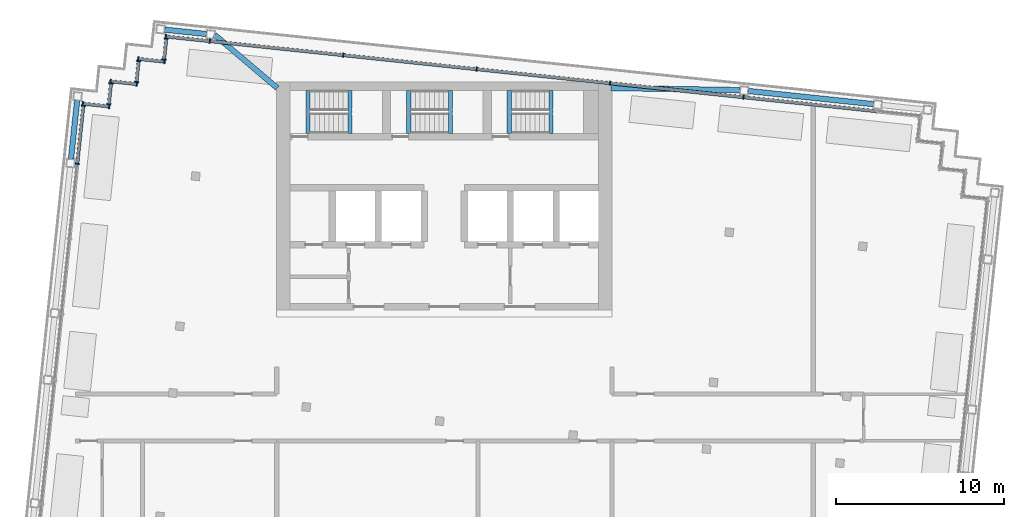
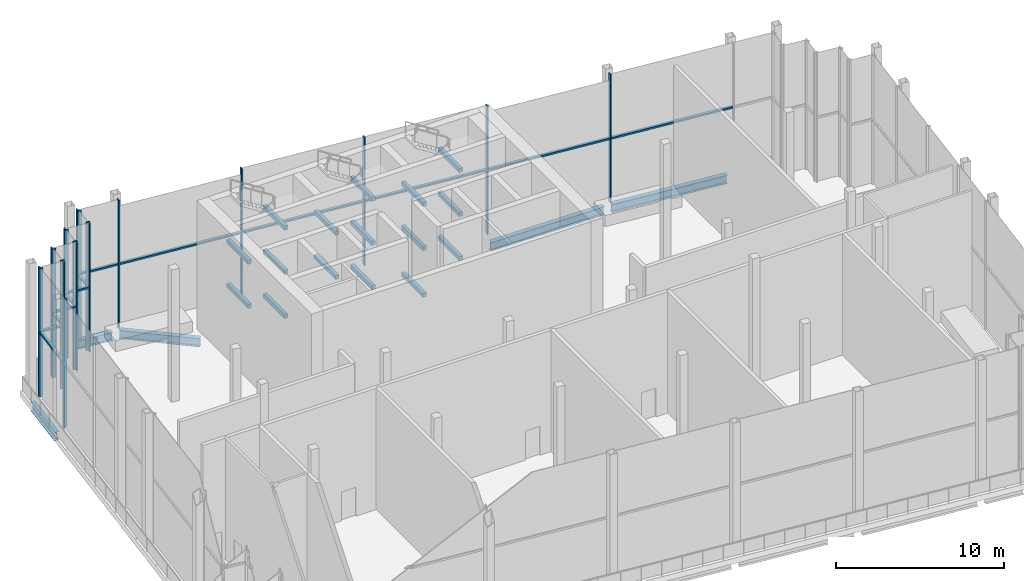
# One storey, part 4 of 14: 33 members, 21 beams, 8 elements without a shape of their own.
"""IFC4 building model written with IfcOpenShell, lengths in metres."""

from ifc_helpers import new_model, si_unit, direction, frame, origin, origin_2d, place, context, subcontext, project, spatial, rectangle, i_section, extrude, material, material_profile, profile_set, type_object, element, aggregate, save


model = new_model("IFC4")

# Units and contexts
model_context = context("Model", 3, precision=1e-05, world=origin(), true_north=direction((0.0, 1.0)))
body_context = subcontext(model_context, "Body", "Model", "MODEL_VIEW")
ifc_project = project(units=[si_unit("LENGTHUNIT", "METRE"), si_unit("AREAUNIT", "SQUARE_METRE"), si_unit("VOLUMEUNIT", "CUBIC_METRE"), si_unit("PLANEANGLEUNIT", "RADIAN"), si_unit("MASSUNIT", "GRAM", prefix="KILO")], contexts=[model_context])

# Site, building, storey
site_placement = place(None, origin())
site = spatial("IfcSite", under=ifc_project, at=site_placement, CompositionType="ELEMENT")
building_placement = place(site_placement, origin())
building = spatial("IfcBuilding", under=site, at=building_placement, Name="Vidyagriha Tower", CompositionType="ELEMENT")
storey_placement = place(building_placement, frame((0.0, 0.0, 281.89990234375)))
storey = spatial("IfcBuildingStorey", under=building, at=storey_placement, Name="L74", CompositionType="ELEMENT", Elevation=281.89990234375)

# Beams
ifc_material_1 = material(Name="Steel ASTM A992 Grade 50", Category="steel")
ifc_material_profile_1 = material_profile(ifc_material_1, i_section(OverallWidth=0.32373046875, OverallDepth=0.612060546875, WebThickness=0.0126953125, FlangeThickness=0.01904296875, at=origin_2d()), Name="W24X104")
ifc_profile_set_1 = profile_set([ifc_material_profile_1], Name="Steel ASTM A992 Grade 50")
beam_type_1 = type_object("IfcBeamType", Name="Edge beam W24X104", PredefinedType="SPANDREL", material=ifc_profile_set_1)
beam_1_placement = place(storey_placement, frame((-22.263916015625, 15.422607421875, -0.7060546875), z_axis=(0.104495960989, 0.994525310958, 0.0), x_axis=(-0.994525310958, 0.104495960989, 0.0)))
element("IfcBeam", 1, at=beam_1_placement, inside=storey, type_object=beam_type_1, Name="st-beam-L74-W12", PredefinedType="SPANDREL", context=body_context, shape_type="SweptSolid", body=[
    extrude(i_section(OverallWidth=0.32373046875, OverallDepth=0.612060546875, WebThickness=0.0126953125, FlangeThickness=0.01904296875, at=origin_2d()), origin(), (0.0, 0.0, 1.0), 3.499755859375),
])
beam_2_placement = place(storey_placement, frame((-16.677490234375, 23.130859375, -0.7060546875), z_axis=(0.994514546653, -0.104598357995, 0.0), x_axis=(0.104598357995, 0.994514546653, 0.0)))
element("IfcBeam", 2, at=beam_2_placement, inside=storey, type_object=beam_type_1, Name="st-beam-L74-NW18", PredefinedType="SPANDREL", context=body_context, shape_type="SweptSolid", body=[
    extrude(i_section(OverallWidth=0.32373046875, OverallDepth=0.612060546875, WebThickness=0.0126953125, FlangeThickness=0.01904296875, at=origin_2d()), origin(), (0.0, 0.0, 1.0), 2.499755859375),
])
beam_3_placement = place(storey_placement, frame((18.130615234375, 19.472412109375, -0.7060546875), z_axis=(0.994519000353, -0.104556003834, 0.0), x_axis=(0.104556003834, 0.994519000353, 0.0)))
element("IfcBeam", 3, at=beam_3_placement, inside=storey, type_object=beam_type_1, Name="st-beam-L74-NE19", PredefinedType="SPANDREL", context=body_context, shape_type="SweptSolid", body=[
    extrude(i_section(OverallWidth=0.32373046875, OverallDepth=0.612060546875, WebThickness=0.0126953125, FlangeThickness=0.01904296875, at=origin_2d()), origin(), (0.0, 0.0, 1.0), 7.5),
])
beam_4_placement = place(storey_placement, frame((-13.694091796875, 22.817138671875, -0.7060546875), z_axis=(0.762224865329, -0.647312331625, 0.0), x_axis=(0.647312331625, 0.762224865329, 0.0)))
element("IfcBeam", 4, at=beam_4_placement, inside=storey, type_object=beam_type_1, Name="st-beam-L74-NC21", PredefinedType="SPANDREL", context=body_context, shape_type="SweptSolid", body=[
    extrude(i_section(OverallWidth=0.32373046875, OverallDepth=0.612060546875, WebThickness=0.0126953125, FlangeThickness=0.01904296875, at=origin_2d()), origin(), (0.0, 0.0, 1.0), 4.892822265625),
])
beam_5_placement = place(storey_placement, frame((9.92578125, 19.64990234375, -0.7060546875), z_axis=(0.99986748631, -0.016279122203, 0.0), x_axis=(0.016279122203, 0.99986748631, 0.0)))
element("IfcBeam", 5, at=beam_5_placement, inside=storey, type_object=beam_type_1, Name="st-beam-L74-NC22", PredefinedType="SPANDREL", context=body_context, shape_type="SweptSolid", body=[
    extrude(i_section(OverallWidth=0.32373046875, OverallDepth=0.612060546875, WebThickness=0.0126953125, FlangeThickness=0.01904296875, at=origin_2d()), origin(), (0.0, 0.0, 1.0), 7.70849609375),
])

# Curtain wall, members
ifc_material_2 = material(Name="Aluminium and glass curtain wall", Category="aluminium")
curtain_wall_type = type_object("IfcCurtainWallType", Name="Winter garden glazing wall", PredefinedType="USERDEFINED", material=ifc_material_2)
curtain_wall_1_placement = place(storey_placement, origin())
curtain_wall_1 = element("IfcCurtainWall", 6, at=curtain_wall_1_placement, inside=storey, type_object=curtain_wall_type, Name="CW3 winter garden glazing", ObjectType="STICK GLAZING", PredefinedType="USERDEFINED")
ifc_material_3 = material(Name="Aluminium black anodised", Category="aluminium")
ifc_material_profile_2 = material_profile(ifc_material_3, rectangle(XDim=0.260009765625, YDim=0.080078125, at=origin_2d()), Name="Mullion 80x260 black aluminium")
ifc_profile_set_2 = profile_set([ifc_material_profile_2], Name="Aluminium black anodised")
member_type_1 = type_object("IfcMemberType", Name="Mullion 80x260 black aluminium", PredefinedType="MULLION", material=ifc_profile_set_2)
member_1_placement = place(storey_placement, frame((17.840087890625, 19.1005859375, 0.0), z_axis=(0.0, 0.0, 1.0), x_axis=(-0.104528022383, -0.994521941707, 0.0)))
member_1 = element("IfcMember", 7, at=member_1_placement, type_object=member_type_1, Name="CW3 mullion 3", PredefinedType="MULLION", context=body_context, shape_type="SweptSolid", body=[
    extrude(rectangle(XDim=0.260009765625, YDim=0.080078125, at=origin_2d()), origin(), (0.0, 0.0, 1.0), 9.320068359375),
])
member_2_placement = place(storey_placement, frame((9.884033203125, 19.936767578125, 0.0), z_axis=(0.0, 0.0, 1.0), x_axis=(-0.104528022383, -0.994521941707, 0.0)))
member_2 = element("IfcMember", 8, at=member_2_placement, type_object=member_type_1, Name="CW3 mullion 4", PredefinedType="MULLION", context=body_context, shape_type="SweptSolid", body=[
    extrude(rectangle(XDim=0.260009765625, YDim=0.080078125, at=origin_2d()), origin(), (0.0, 0.0, 1.0), 9.320068359375),
])
member_3_placement = place(storey_placement, frame((1.927978515625, 20.77294921875, 0.0), z_axis=(0.0, 0.0, 1.0), x_axis=(-0.104528022383, -0.994521941707, 0.0)))
member_3 = element("IfcMember", 9, at=member_3_placement, type_object=member_type_1, Name="CW3 mullion 5", PredefinedType="MULLION", context=body_context, shape_type="SweptSolid", body=[
    extrude(rectangle(XDim=0.260009765625, YDim=0.080078125, at=origin_2d()), origin(), (0.0, 0.0, 1.0), 9.320068359375),
])
member_4_placement = place(storey_placement, frame((-6.0283203125, 21.609130859375, 0.0), z_axis=(0.0, 0.0, 1.0), x_axis=(-0.104528022383, -0.994521941707, 0.0)))
member_4 = element("IfcMember", 10, at=member_4_placement, type_object=member_type_1, Name="CW3 mullion 6", PredefinedType="MULLION", context=body_context, shape_type="SweptSolid", body=[
    extrude(rectangle(XDim=0.260009765625, YDim=0.080078125, at=origin_2d()), origin(), (0.0, 0.0, 1.0), 9.320068359375),
])
member_5_placement = place(storey_placement, frame((-13.984619140625, 22.445556640625, 0.0), z_axis=(0.0, 0.0, 1.0), x_axis=(-0.104528022383, -0.994521941707, 0.0)))
member_5 = element("IfcMember", 11, at=member_5_placement, type_object=member_type_1, Name="CW3 mullion 7", PredefinedType="MULLION", context=body_context, shape_type="SweptSolid", body=[
    extrude(rectangle(XDim=0.260009765625, YDim=0.080078125, at=origin_2d()), origin(), (0.0, 0.0, 1.0), 9.320068359375),
])
member_6_placement = place(storey_placement, frame((-16.610107421875, 22.721435546875, 0.0), z_axis=(0.0, 0.0, 1.0), x_axis=(-0.104528022383, -0.994521941707, 0.0)))
member_6 = element("IfcMember", 12, at=member_6_placement, type_object=member_type_1, Name="CW3 mullion 8", PredefinedType="MULLION", context=body_context, shape_type="SweptSolid", body=[
    extrude(rectangle(XDim=0.260009765625, YDim=0.080078125, at=origin_2d()), origin(), (0.0, 0.0, 1.0), 9.320068359375),
])

curtain_wall_2_placement = place(storey_placement, origin())
curtain_wall_2 = element("IfcCurtainWall", 13, at=curtain_wall_2_placement, inside=storey, type_object=curtain_wall_type, Name="CW3 winter garden glazing", ObjectType="STICK GLAZING", PredefinedType="USERDEFINED")
member_7_placement = place(storey_placement, frame((-16.582763671875, 22.597900390625, 0.0), z_axis=(0.0, 0.0, 1.0), x_axis=(0.994519755162, -0.104548823962, 0.0)))
member_7 = element("IfcMember", 14, at=member_7_placement, type_object=member_type_1, Name="CW3 mullion 1", PredefinedType="MULLION", context=body_context, shape_type="SweptSolid", body=[
    extrude(rectangle(XDim=0.260009765625, YDim=0.080078125, at=origin_2d()), origin(), (0.0, 0.0, 1.0), 9.320068359375),
])
member_8_placement = place(storey_placement, frame((-16.714599609375, 21.3447265625, 0.0), z_axis=(0.0, 0.0, 1.0), x_axis=(0.994519755162, -0.104548823962, 0.0)))
member_8 = element("IfcMember", 15, at=member_8_placement, type_object=member_type_1, Name="CW3 mullion 2", PredefinedType="MULLION", context=body_context, shape_type="SweptSolid", body=[
    extrude(rectangle(XDim=0.260009765625, YDim=0.080078125, at=origin_2d()), origin(), (0.0, 0.0, 1.0), 9.320068359375),
])

curtain_wall_3_placement = place(storey_placement, origin())
curtain_wall_3 = element("IfcCurtainWall", 16, at=curtain_wall_3_placement, inside=storey, type_object=curtain_wall_type, Name="CW3 winter garden glazing", ObjectType="STICK GLAZING", PredefinedType="USERDEFINED")
member_9_placement = place(storey_placement, frame((-16.687255859375, 21.22119140625, 0.0), z_axis=(0.0, 0.0, 1.0), x_axis=(-0.104518583201, -0.994522933756, 0.0)))
member_9 = element("IfcMember", 17, at=member_9_placement, type_object=member_type_1, Name="CW3 mullion 1", PredefinedType="MULLION", context=body_context, shape_type="SweptSolid", body=[
    extrude(rectangle(XDim=0.260009765625, YDim=0.080078125, at=origin_2d()), origin(), (0.0, 0.0, 1.0), 9.320068359375),
])
member_10_placement = place(storey_placement, frame((-18.258544921875, 21.386474609375, 0.0), z_axis=(0.0, 0.0, 1.0), x_axis=(-0.104518583201, -0.994522933756, 0.0)))
member_10 = element("IfcMember", 18, at=member_10_placement, type_object=member_type_1, Name="CW3 mullion 2", PredefinedType="MULLION", context=body_context, shape_type="SweptSolid", body=[
    extrude(rectangle(XDim=0.260009765625, YDim=0.080078125, at=origin_2d()), origin(), (0.0, 0.0, 1.0), 9.320068359375),
])

curtain_wall_4_placement = place(storey_placement, origin())
curtain_wall_4 = element("IfcCurtainWall", 19, at=curtain_wall_4_placement, inside=storey, type_object=curtain_wall_type, Name="CW3 winter garden glazing", ObjectType="STICK GLAZING", PredefinedType="USERDEFINED")
member_11_placement = place(storey_placement, frame((-18.2314453125, 21.262939453125, 0.0), z_axis=(0.0, 0.0, 1.0), x_axis=(0.994519755162, -0.104548823962, 0.0)))
member_11 = element("IfcMember", 20, at=member_11_placement, type_object=member_type_1, Name="CW3 mullion 1", PredefinedType="MULLION", context=body_context, shape_type="SweptSolid", body=[
    extrude(rectangle(XDim=0.260009765625, YDim=0.080078125, at=origin_2d()), origin(), (0.0, 0.0, 1.0), 9.320068359375),
])
member_12_placement = place(storey_placement, frame((-18.363037109375, 20.009765625, 0.0), z_axis=(0.0, 0.0, 1.0), x_axis=(0.994519755162, -0.104548823962, 0.0)))
member_12 = element("IfcMember", 21, at=member_12_placement, type_object=member_type_1, Name="CW3 mullion 2", PredefinedType="MULLION", context=body_context, shape_type="SweptSolid", body=[
    extrude(rectangle(XDim=0.260009765625, YDim=0.080078125, at=origin_2d()), origin(), (0.0, 0.0, 1.0), 9.320068359375),
])

curtain_wall_5_placement = place(storey_placement, origin())
curtain_wall_5 = element("IfcCurtainWall", 22, at=curtain_wall_5_placement, inside=storey, type_object=curtain_wall_type, Name="CW3 winter garden glazing", ObjectType="STICK GLAZING", PredefinedType="USERDEFINED")
member_13_placement = place(storey_placement, frame((-18.335693359375, 19.88623046875, 0.0), z_axis=(0.0, 0.0, 1.0), x_axis=(-0.104512321721, -0.994523591781, 0.0)))
member_13 = element("IfcMember", 23, at=member_13_placement, type_object=member_type_1, Name="CW3 mullion 1", PredefinedType="MULLION", context=body_context, shape_type="SweptSolid", body=[
    extrude(rectangle(XDim=0.260009765625, YDim=0.080078125, at=origin_2d()), origin(), (0.0, 0.0, 1.0), 9.320068359375),
])
member_14_placement = place(storey_placement, frame((-19.9072265625, 20.051513671875, 0.0), z_axis=(0.0, 0.0, 1.0), x_axis=(-0.104512321721, -0.994523591781, 0.0)))
member_14 = element("IfcMember", 24, at=member_14_placement, type_object=member_type_1, Name="CW3 mullion 2", PredefinedType="MULLION", context=body_context, shape_type="SweptSolid", body=[
    extrude(rectangle(XDim=0.260009765625, YDim=0.080078125, at=origin_2d()), origin(), (0.0, 0.0, 1.0), 9.320068359375),
])

curtain_wall_6_placement = place(storey_placement, origin())
curtain_wall_6 = element("IfcCurtainWall", 25, at=curtain_wall_6_placement, inside=storey, type_object=curtain_wall_type, Name="CW3 winter garden glazing", ObjectType="STICK GLAZING", PredefinedType="USERDEFINED")
member_15_placement = place(storey_placement, frame((-19.8798828125, 19.927978515625, 0.0), z_axis=(0.0, 0.0, 1.0), x_axis=(0.994518123441, -0.10456434453, 0.0)))
member_15 = element("IfcMember", 26, at=member_15_placement, type_object=member_type_1, Name="CW3 mullion 1", PredefinedType="MULLION", context=body_context, shape_type="SweptSolid", body=[
    extrude(rectangle(XDim=0.260009765625, YDim=0.080078125, at=origin_2d()), origin(), (0.0, 0.0, 1.0), 9.320068359375),
])
member_16_placement = place(storey_placement, frame((-20.01171875, 18.675048828125, 0.0), z_axis=(0.0, 0.0, 1.0), x_axis=(0.994518123441, -0.10456434453, 0.0)))
member_16 = element("IfcMember", 27, at=member_16_placement, type_object=member_type_1, Name="CW3 mullion 2", PredefinedType="MULLION", context=body_context, shape_type="SweptSolid", body=[
    extrude(rectangle(XDim=0.260009765625, YDim=0.080078125, at=origin_2d()), origin(), (0.0, 0.0, 1.0), 9.320068359375),
])

curtain_wall_7_placement = place(storey_placement, origin())
curtain_wall_7 = element("IfcCurtainWall", 28, at=curtain_wall_7_placement, inside=storey, type_object=curtain_wall_type, Name="CW3 winter garden glazing", ObjectType="STICK GLAZING", PredefinedType="USERDEFINED")
member_17_placement = place(storey_placement, frame((-19.984375, 18.551513671875, 0.0), z_axis=(0.0, 0.0, 1.0), x_axis=(-0.104452741485, -0.994529851134, 0.0)))
member_17 = element("IfcMember", 29, at=member_17_placement, type_object=member_type_1, Name="CW3 mullion 1", PredefinedType="MULLION", context=body_context, shape_type="SweptSolid", body=[
    extrude(rectangle(XDim=0.260009765625, YDim=0.080078125, at=origin_2d()), origin(), (0.0, 0.0, 1.0), 9.320068359375),
])
member_18_placement = place(storey_placement, frame((-21.555908203125, 18.716552734375, 0.0), z_axis=(0.0, 0.0, 1.0), x_axis=(-0.104452741485, -0.994529851134, 0.0)))
member_18 = element("IfcMember", 30, at=member_18_placement, type_object=member_type_1, Name="CW3 mullion 2", PredefinedType="MULLION", context=body_context, shape_type="SweptSolid", body=[
    extrude(rectangle(XDim=0.260009765625, YDim=0.080078125, at=origin_2d()), origin(), (0.0, 0.0, 1.0), 9.320068359375),
])

curtain_wall_8_placement = place(storey_placement, origin())
curtain_wall_8 = element("IfcCurtainWall", 31, at=curtain_wall_8_placement, inside=storey, type_object=curtain_wall_type, Name="CW3 winter garden glazing", ObjectType="STICK GLAZING", PredefinedType="USERDEFINED")
member_19_placement = place(storey_placement, frame((-21.528564453125, 18.593017578125, 0.0), z_axis=(0.0, 0.0, 1.0), x_axis=(0.994522018715, -0.104527289697, 0.0)))
member_19 = element("IfcMember", 32, at=member_19_placement, type_object=member_type_1, Name="CW3 mullion 1", PredefinedType="MULLION", context=body_context, shape_type="SweptSolid", body=[
    extrude(rectangle(XDim=0.260009765625, YDim=0.080078125, at=origin_2d()), origin(), (0.0, 0.0, 1.0), 9.320068359375),
])
member_20_placement = place(storey_placement, frame((-21.892333984375, 15.132080078125, 0.0), z_axis=(0.0, 0.0, 1.0), x_axis=(0.994522018715, -0.104527289697, 0.0)))
member_20 = element("IfcMember", 33, at=member_20_placement, type_object=member_type_1, Name="CW3 mullion 2", PredefinedType="MULLION", context=body_context, shape_type="SweptSolid", body=[
    extrude(rectangle(XDim=0.260009765625, YDim=0.080078125, at=origin_2d()), origin(), (0.0, 0.0, 1.0), 9.320068359375),
])

# Beams
ifc_material_4 = material(Name="Concrete C40/50", Category="concrete")
ifc_material_profile_3 = material_profile(ifc_material_4, rectangle(XDim=0.25, YDim=0.300048828125, at=origin_2d()), Name="Stair landing bearing beam 250x300")
ifc_profile_set_3 = profile_set([ifc_material_profile_3], Name="Concrete C40/50")
beam_type_2 = type_object("IfcBeamType", Name="Stair landing bearing beam 250x300", PredefinedType="BEAM", material=ifc_profile_set_3)
for number, where, z_axis, x_axis, name in (
    (34, (3.875, 16.949951171875, -0.5498046875), (0.0, 1.0, 0.0), (-1.0, 0.0, 0.0), "ST3 floor landing bearing beam L74"),
    (35, (-5.635009765625, 16.949951171875, 1.25), (0.0, 1.0, 0.0), (-1.0, 0.0, 0.0), "ST1 landing bearing beam L74"),
    (36, (-8.125, 16.949951171875, 2.85009765625), (0.0, 1.0, 0.0), (-1.0, 0.0, 0.0), "ST1 landing bearing beam L74"),
    (37, (-5.635009765625, 16.949951171875, 4.4501953125), (0.0, 1.0, 0.0), (-1.0, 0.0, 0.0), "ST1 landing bearing beam L74"),
    (38, (-8.125, 16.949951171875, 6.050048828125), (0.0, 1.0, 0.0), (-1.0, 0.0, 0.0), "ST1 landing bearing beam L74"),
    (39, (-5.635009765625, 16.949951171875, 7.650146484375), (0.0, 1.0, 0.0), (-1.0, 0.0, 0.0), "ST1 landing bearing beam L74"),
    (40, (0.364990234375, 16.949951171875, 1.25), (0.0, 1.0, 0.0), (-1.0, 0.0, 0.0), "ST2 landing bearing beam L74"),
    (41, (-2.125, 16.949951171875, 2.85009765625), (0.0, 1.0, 0.0), (-1.0, 0.0, 0.0), "ST2 landing bearing beam L74"),
    (42, (0.364990234375, 16.949951171875, 4.4501953125), (0.0, 1.0, 0.0), (-1.0, 0.0, 0.0), "ST2 landing bearing beam L74"),
    (43, (-2.125, 16.949951171875, 6.050048828125), (0.0, 1.0, 0.0), (-1.0, 0.0, 0.0), "ST2 landing bearing beam L74"),
    (44, (0.364990234375, 16.949951171875, 7.650146484375), (0.0, 1.0, 0.0), (-1.0, 0.0, 0.0), "ST2 landing bearing beam L74"),
    (45, (6.364990234375, 16.949951171875, 1.25), (0.0, 1.0, 0.0), (-1.0, 0.0, 0.0), "ST3 landing bearing beam L74"),
    (46, (3.875, 16.949951171875, 2.85009765625), (0.0, 1.0, 0.0), (-1.0, 0.0, 0.0), "ST3 landing bearing beam L74"),
    (47, (6.364990234375, 16.949951171875, 4.4501953125), (0.0, 1.0, 0.0), (-1.0, 0.0, 0.0), "ST3 landing bearing beam L74"),
    (48, (3.875, 16.949951171875, 6.050048828125), (0.0, 1.0, 0.0), (-1.0, 0.0, 0.0), "ST3 landing bearing beam L74"),
    (49, (6.364990234375, 16.949951171875, 7.650146484375), (0.0, 1.0, 0.0), (-1.0, 0.0, 0.0), "ST3 landing bearing beam L74"),
):
    element("IfcBeam", number, at=place(storey_placement, frame(where, z_axis=z_axis, x_axis=x_axis)), inside=storey, type_object=beam_type_2, Name=name, PredefinedType="BEAM", context=body_context, shape_type="SweptSolid", body=[
        extrude(rectangle(XDim=0.25, YDim=0.300048828125, at=origin_2d()), origin(), (0.0, 0.0, 1.0), 2.550048828125),
    ])

# Member
ifc_material_5 = material(Name="Aluminium black anodised", Category="aluminium")
ifc_material_profile_4 = material_profile(ifc_material_5, rectangle(XDim=0.199951171875, YDim=0.1201171875, at=origin_2d()), Name="Transom 120x200 black aluminium")
ifc_profile_set_4 = profile_set([ifc_material_profile_4], Name="Aluminium black anodised")
member_type_2 = type_object("IfcMemberType", Name="Transom 120x200 black aluminium", PredefinedType="USERDEFINED", material=ifc_profile_set_4)
member_21_placement = place(storey_placement, frame((25.756591796875, 18.2685546875, 4.66015625), z_axis=(-0.994521824685, 0.104529135775, 0.0), x_axis=(-0.104529135775, -0.994521824685, 0.0)))
member_21 = element("IfcMember", 50, at=member_21_placement, type_object=member_type_2, Name="CW3 transom 2.1", ObjectType="TRANSOM", PredefinedType="USERDEFINED", context=body_context, shape_type="SweptSolid", body=[
    extrude(rectangle(XDim=0.199951171875, YDim=0.1201171875, at=origin_2d()), origin(), (0.0, 0.0, 1.0), 7.920166015625),
])

member_22_placement = place(storey_placement, frame((17.80029296875, 19.104736328125, 4.66015625), z_axis=(-0.99452148786, 0.10453234038, 0.0), x_axis=(-0.10453234038, -0.99452148786, 0.0)))
member_22 = element("IfcMember", 51, at=member_22_placement, type_object=member_type_2, Name="CW3 transom 3.1", ObjectType="TRANSOM", PredefinedType="USERDEFINED", context=body_context, shape_type="SweptSolid", body=[
    extrude(rectangle(XDim=0.199951171875, YDim=0.1201171875, at=origin_2d()), origin(), (0.0, 0.0, 1.0), 7.919921875),
])

member_23_placement = place(storey_placement, frame((9.84423828125, 19.94091796875, 4.66015625), z_axis=(-0.99452148786, 0.10453234038, 0.0), x_axis=(-0.10453234038, -0.99452148786, 0.0)))
member_23 = element("IfcMember", 52, at=member_23_placement, type_object=member_type_2, Name="CW3 transom 4.1", ObjectType="TRANSOM", PredefinedType="USERDEFINED", context=body_context, shape_type="SweptSolid", body=[
    extrude(rectangle(XDim=0.199951171875, YDim=0.1201171875, at=origin_2d()), origin(), (0.0, 0.0, 1.0), 7.919921875),
])

member_24_placement = place(storey_placement, frame((1.88818359375, 20.777099609375, 4.66015625), z_axis=(-0.994521824685, 0.104529135775, 0.0), x_axis=(-0.104529135775, -0.994521824685, 0.0)))
member_24 = element("IfcMember", 53, at=member_24_placement, type_object=member_type_2, Name="CW3 transom 5.1", ObjectType="TRANSOM", PredefinedType="USERDEFINED", context=body_context, shape_type="SweptSolid", body=[
    extrude(rectangle(XDim=0.199951171875, YDim=0.1201171875, at=origin_2d()), origin(), (0.0, 0.0, 1.0), 7.920166015625),
])

member_25_placement = place(storey_placement, frame((-6.068115234375, 21.613525390625, 4.66015625), z_axis=(-0.994525028735, 0.104498646977, 0.0), x_axis=(-0.104498646977, -0.994525028735, 0.0)))
member_25 = element("IfcMember", 54, at=member_25_placement, type_object=member_type_2, Name="CW3 transom 6.1", ObjectType="TRANSOM", PredefinedType="USERDEFINED", context=body_context, shape_type="SweptSolid", body=[
    extrude(rectangle(XDim=0.199951171875, YDim=0.1201171875, at=origin_2d()), origin(), (0.0, 0.0, 1.0), 7.920166015625),
])

member_26_placement = place(storey_placement, frame((-14.024169921875, 22.44970703125, 4.66015625), z_axis=(-0.994523204544, 0.104516006538, 0.0), x_axis=(-0.104516006538, -0.994523204544, 0.0)))
member_26 = element("IfcMember", 55, at=member_26_placement, type_object=member_type_2, Name="CW3 transom 7.1", ObjectType="TRANSOM", PredefinedType="USERDEFINED", context=body_context, shape_type="SweptSolid", body=[
    extrude(rectangle(XDim=0.199951171875, YDim=0.1201171875, at=origin_2d()), origin(), (0.0, 0.0, 1.0), 2.56005859375),
])

aggregate(curtain_wall_1, [member_1, member_2, member_3, member_4, member_5, member_6, member_21, member_22, member_23, member_24, member_25, member_26])

member_27_placement = place(storey_placement, frame((-16.587158203125, 22.55810546875, 4.66015625), z_axis=(-0.104480158203, -0.994526971249, 0.0), x_axis=(0.994526971249, -0.104480158203, 0.0)))
member_27 = element("IfcMember", 56, at=member_27_placement, type_object=member_type_2, Name="CW3 transom 1.1", ObjectType="TRANSOM", PredefinedType="USERDEFINED", context=body_context, shape_type="SweptSolid", body=[
    extrude(rectangle(XDim=0.199951171875, YDim=0.1201171875, at=origin_2d()), origin(), (0.0, 0.0, 1.0), 1.179931640625),
])

aggregate(curtain_wall_2, [member_7, member_8, member_27])

member_28_placement = place(storey_placement, frame((-16.72705078125, 21.225341796875, 4.66015625), z_axis=(-0.994508128223, 0.104659366031, 0.0), x_axis=(-0.104659366031, -0.994508128223, 0.0)))
member_28 = element("IfcMember", 57, at=member_28_placement, type_object=member_type_2, Name="CW3 transom 1.1", ObjectType="TRANSOM", PredefinedType="USERDEFINED", context=body_context, shape_type="SweptSolid", body=[
    extrude(rectangle(XDim=0.199951171875, YDim=0.1201171875, at=origin_2d()), origin(), (0.0, 0.0, 1.0), 1.5),
])

aggregate(curtain_wall_3, [member_9, member_10, member_28])

member_29_placement = place(storey_placement, frame((-18.235595703125, 21.22314453125, 4.66015625), z_axis=(-0.104480158203, -0.994526971249, 0.0), x_axis=(0.994526971249, -0.104480158203, 0.0)))
member_29 = element("IfcMember", 58, at=member_29_placement, type_object=member_type_2, Name="CW3 transom 1.1", ObjectType="TRANSOM", PredefinedType="USERDEFINED", context=body_context, shape_type="SweptSolid", body=[
    extrude(rectangle(XDim=0.199951171875, YDim=0.1201171875, at=origin_2d()), origin(), (0.0, 0.0, 1.0), 1.179931640625),
])

aggregate(curtain_wall_4, [member_11, member_12, member_29])

member_30_placement = place(storey_placement, frame((-18.37548828125, 19.890380859375, 4.66015625), z_axis=(-0.994526834051, 0.104481464157, 0.0), x_axis=(-0.104481464157, -0.994526834051, 0.0)))
member_30 = element("IfcMember", 59, at=member_30_placement, type_object=member_type_2, Name="CW3 transom 1.1", ObjectType="TRANSOM", PredefinedType="USERDEFINED", context=body_context, shape_type="SweptSolid", body=[
    extrude(rectangle(XDim=0.199951171875, YDim=0.1201171875, at=origin_2d()), origin(), (0.0, 0.0, 1.0), 1.500244140625),
])

aggregate(curtain_wall_5, [member_13, member_14, member_30])

member_31_placement = place(storey_placement, frame((-19.88427734375, 19.88818359375, 4.66015625), z_axis=(-0.104501660344, -0.994524712104, 0.0), x_axis=(0.994524712104, -0.104501660344, 0.0)))
member_31 = element("IfcMember", 60, at=member_31_placement, type_object=member_type_2, Name="CW3 transom 1.1", ObjectType="TRANSOM", PredefinedType="USERDEFINED", context=body_context, shape_type="SweptSolid", body=[
    extrude(rectangle(XDim=0.199951171875, YDim=0.1201171875, at=origin_2d()), origin(), (0.0, 0.0, 1.0), 1.1796875),
])

aggregate(curtain_wall_6, [member_15, member_16, member_31])

member_32_placement = place(storey_placement, frame((-20.024169921875, 18.5556640625, 4.66015625), z_axis=(-0.994526834051, 0.104481464157, 0.0), x_axis=(-0.104481464157, -0.994526834051, 0.0)))
member_32 = element("IfcMember", 61, at=member_32_placement, type_object=member_type_2, Name="CW3 transom 1.1", ObjectType="TRANSOM", PredefinedType="USERDEFINED", context=body_context, shape_type="SweptSolid", body=[
    extrude(rectangle(XDim=0.199951171875, YDim=0.1201171875, at=origin_2d()), origin(), (0.0, 0.0, 1.0), 1.500244140625),
])

aggregate(curtain_wall_7, [member_17, member_18, member_32])

member_33_placement = place(storey_placement, frame((-21.53271484375, 18.55322265625, 4.66015625), z_axis=(-0.104550220202, -0.994519608382, 0.0), x_axis=(0.994519608382, -0.104550220202, 0.0)))
member_33 = element("IfcMember", 62, at=member_33_placement, type_object=member_type_2, Name="CW3 transom 1.1", ObjectType="TRANSOM", PredefinedType="USERDEFINED", context=body_context, shape_type="SweptSolid", body=[
    extrude(rectangle(XDim=0.199951171875, YDim=0.1201171875, at=origin_2d()), origin(), (0.0, 0.0, 1.0), 3.39990234375),
])

aggregate(curtain_wall_8, [member_19, member_20, member_33])

save(model, "model.ifc")
